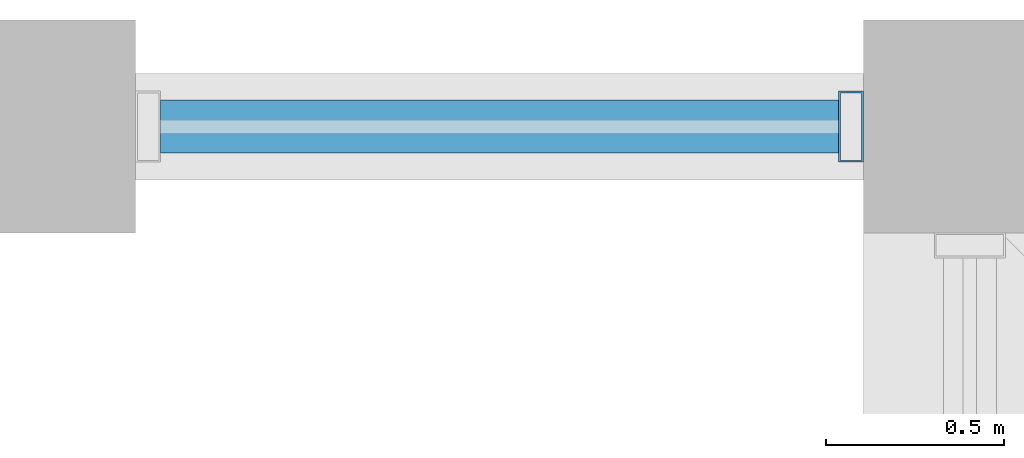
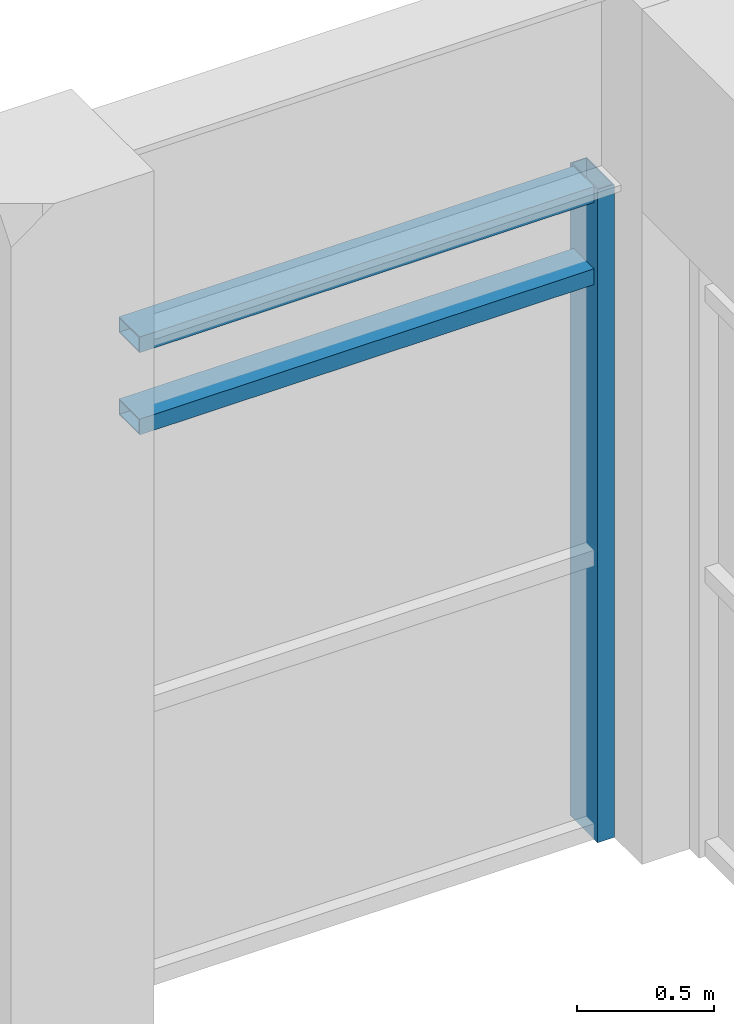
# One storey, part 22 of 28: 3 members, 1 element without a shape of its own.
"""IFC4 building model written with IfcOpenShell, lengths in metres."""

from ifc_helpers import new_model, si_unit, direction, frame, origin, origin_2d, place, context, subcontext, project, spatial, hollow_rectangle, extrude, source, transform, mapped, material, layer, layer_set, material_profile, profile_set, type_object, element, aggregate, save


model = new_model("IFC4")

# Units and contexts
model_context = context("Model", 3, precision=1e-05, world=origin(), true_north=direction((0.0, 1.0)))
body_context = subcontext(model_context, "Body", "Model", "MODEL_VIEW")
ifc_project = project(units=[si_unit("LENGTHUNIT", "METRE"), si_unit("AREAUNIT", "SQUARE_METRE"), si_unit("VOLUMEUNIT", "CUBIC_METRE"), si_unit("PLANEANGLEUNIT", "RADIAN"), si_unit("MASSUNIT", "GRAM", prefix="KILO")], contexts=[model_context])

# Site, building, storey
site_placement = place(None, origin())
site = spatial("IfcSite", under=ifc_project, at=site_placement, CompositionType="ELEMENT")
building_placement = place(site_placement, origin())
building = spatial("IfcBuilding", under=site, at=building_placement, Name="Saelheon Loggia Tower", CompositionType="ELEMENT")
storey_placement = place(building_placement, frame((0.0, 0.0, 271.199951171875)))
storey = spatial("IfcBuildingStorey", under=building, at=storey_placement, Name="CR6", CompositionType="ELEMENT", Elevation=271.199951171875)

# Curtain wall, members
ifc_material_1 = material(Name="Bronze-Anodised Aluminium and Fritted Ceramic Screen", Category="aluminium")
ifc_layer = layer(ifc_material_1, 0.219970703125)
ifc_layer_set = layer_set([ifc_layer], Name="Bronze-Anodised Aluminium and Fritted Ceramic Screen")
curtain_wall_type = type_object("IfcCurtainWallType", Name="CW_CrownScreen", PredefinedType="NOTDEFINED", material=ifc_layer_set)
curtain_wall_placement = place(storey_placement, origin())
curtain_wall = element("IfcCurtainWall", 1, at=curtain_wall_placement, inside=storey, type_object=curtain_wall_type, Name="CR6 Crown Screen Curtain Wall 6-1", PredefinedType="NOTDEFINED")
ifc_material_2 = material(Name="Bronze-Anodised Aluminium 6063-T6", Category="aluminium")
ifc_material_profile_1 = material_profile(ifc_material_2, hollow_rectangle(XDim=0.070068359375, YDim=0.199951171875, WallThickness=0.0048828125, at=origin_2d()), Name="RHS-200x70x5")
ifc_profile_set_1 = profile_set([ifc_material_profile_1], Name="Bronze-Anodised Aluminium 6063-T6")
member_type_1 = type_object("IfcMemberType", Name="CW_CrownScreen_Mullion", PredefinedType="MULLION", material=ifc_profile_set_1)
shared_shape_1 = source(origin(), body_context, "Body", "SweptSolid", [
    extrude(hollow_rectangle(XDim=0.070068359375, YDim=0.199951171875, WallThickness=0.0048828125, at=origin_2d()), origin(), (0.0, 0.0, 1.0), 2.900146484375),
])
member_1_placement = place(storey_placement, frame((46.81494140625, 47.64990234375, 0.0), z_axis=(0.0, 0.0, 1.0), x_axis=(-1.0, 0.0, 0.0)))
member_1 = element("IfcMember", 2, at=member_1_placement, type_object=member_type_1, Name="CW6 mullion 1", PredefinedType="MULLION", context=body_context, shape_type="MappedRepresentation", body=[
    mapped(shared_shape_1, transform((0.0, 0.0, 0.0), scale=1.0)),
])
ifc_material_profile_2 = material_profile(ifc_material_2, hollow_rectangle(XDim=0.070068359375, YDim=0.14990234375, WallThickness=0.0048828125, at=origin_2d()), Name="RHS-150x70x5")
ifc_profile_set_2 = profile_set([ifc_material_profile_2], Name="Bronze-Anodised Aluminium 6063-T6")
member_type_2 = type_object("IfcMemberType", Name="CW_CrownScreen_Transom", PredefinedType="USERDEFINED", material=ifc_profile_set_2)
shared_shape_2 = source(origin(), body_context, "Body", "SweptSolid", [
    extrude(hollow_rectangle(XDim=0.070068359375, YDim=0.14990234375, WallThickness=0.0048828125, at=origin_2d()), origin(), (0.0, 0.0, 1.0), 1.909912109375),
])
member_2_placement = place(storey_placement, frame((46.780029296875, 47.64990234375, 2.5), z_axis=(-1.0, 0.0, 0.0), x_axis=(0.0, 0.0, 1.0)))
member_2 = element("IfcMember", 3, at=member_2_placement, type_object=member_type_2, Name="CW6 transom 1.3", ObjectType="TRANSOM", PredefinedType="USERDEFINED", context=body_context, shape_type="MappedRepresentation", body=[
    mapped(shared_shape_2, transform((0.0, 0.0, 0.0), scale=1.0)),
])
member_3_placement = place(storey_placement, frame((46.780029296875, 47.64990234375, 2.864990234375), z_axis=(-1.0, 0.0, 0.0), x_axis=(0.0, 0.0, 1.0)))
member_3 = element("IfcMember", 4, at=member_3_placement, type_object=member_type_2, Name="CW6 transom 1.4", ObjectType="TRANSOM", PredefinedType="USERDEFINED", context=body_context, shape_type="MappedRepresentation", body=[
    mapped(shared_shape_2, transform((0.0, 0.0, 0.0), scale=1.0)),
])
aggregate(curtain_wall, [member_1, member_2, member_3])

save(model, "model.ifc")
